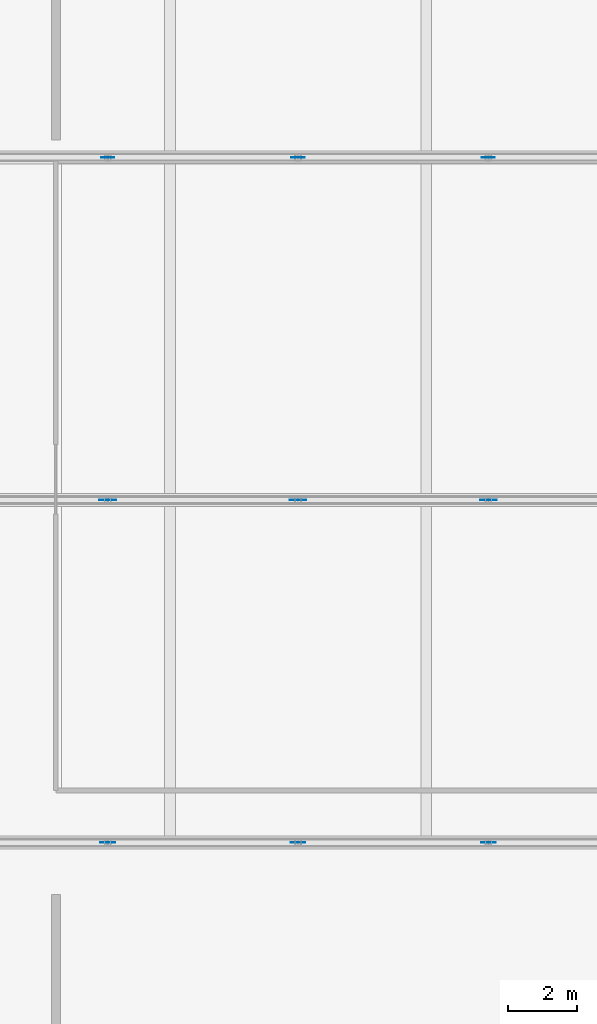
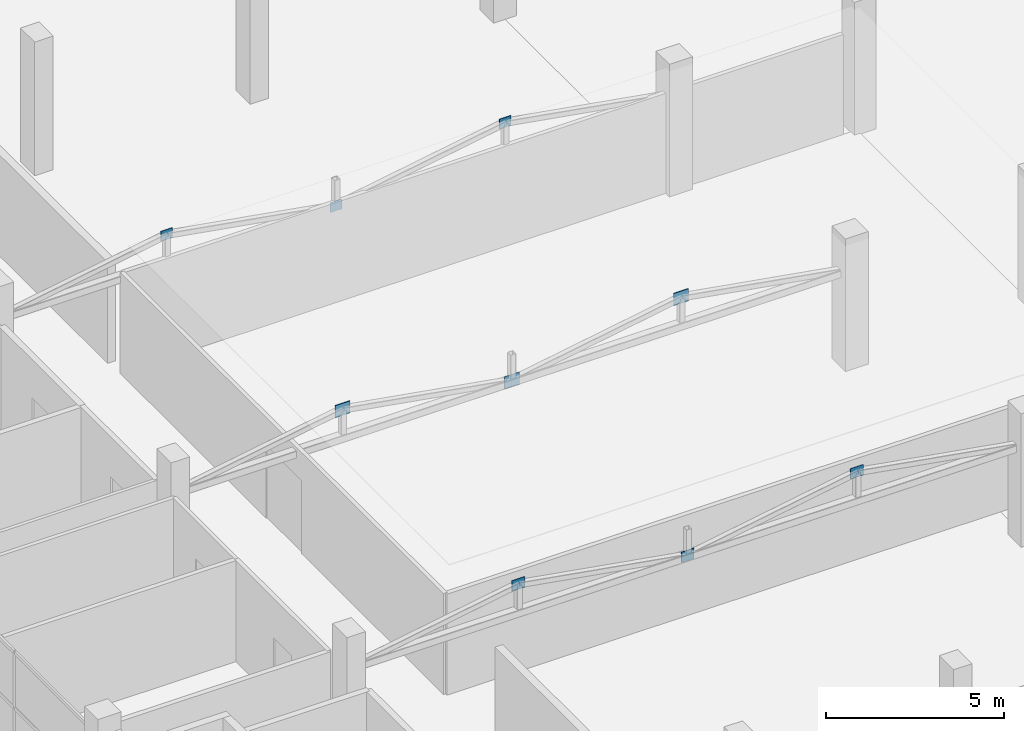
# One storey, part 40 of 58: 9 plates.
"""IFC4 building model written with IfcOpenShell, lengths in metres."""

from ifc_helpers import new_model, si_unit, direction, frame, origin, origin_2d, place, context, subcontext, project, spatial, rectangle, extrude, material, layer, layer_set, type_object, element, save


model = new_model("IFC4")

# Units and contexts
model_context = context("Model", 3, precision=1e-05, world=origin(), true_north=direction((0.0, 1.0)))
body_context = subcontext(model_context, "Body", "Model", "MODEL_VIEW")
ifc_project = project(units=[si_unit("LENGTHUNIT", "METRE"), si_unit("AREAUNIT", "SQUARE_METRE"), si_unit("VOLUMEUNIT", "CUBIC_METRE"), si_unit("PLANEANGLEUNIT", "RADIAN"), si_unit("MASSUNIT", "GRAM", prefix="KILO")], contexts=[model_context])

# Site, building, storey
site_placement = place(None, origin())
site = spatial("IfcSite", under=ifc_project, at=site_placement, CompositionType="ELEMENT")
building_placement = place(site_placement, origin())
building = spatial("IfcBuilding", under=site, at=building_placement, Name="Sillaruma Civic Art Gallery", CompositionType="ELEMENT")
storey_placement = place(building_placement, frame((0.0, 0.0, 28.56005859375)))
storey = spatial("IfcBuildingStorey", under=building, at=storey_placement, Name="L05", CompositionType="ELEMENT", Elevation=28.56005859375)

# Plates
ifc_material = material(Name="Structural Steel ASTM A992 Gr.50", Category="steel")
ifc_layer_1 = layer(ifc_material, 0.01611328125, Name="Structural Steel ASTM A992 Gr.50")
ifc_layer_set_1 = layer_set([ifc_layer_1], Name="Structural Steel ASTM A992 Gr.50")
plate_type_1 = type_object("IfcPlateType", Name="PLT-GUS-16", PredefinedType="SHEET", material=ifc_layer_set_1)
for number, where, z_axis, x_axis, name in (
    (1, (75.5, 69.300048828125, 3.998046875), (0.0, 0.0, 1.0), (1.0, 0.0, 0.0), "Truss Gusset Plate GP-05 (TR-L05-3-1)"),
    (2, (81.0, 69.300048828125, 3.0546875), (0.0, 0.0, 1.0), (1.0, 0.0, 0.0), "Truss Gusset Plate GP-05 (TR-L05-3-2)"),
    (3, (86.5, 69.300048828125, 3.998046875), (0.0, 0.0, 1.0), (1.0, 0.0, 0.0), "Truss Gusset Plate GP-05 (TR-L05-3-3)"),
):
    element("IfcPlate", number, at=place(storey_placement, frame(where, z_axis=z_axis, x_axis=x_axis)), inside=storey, type_object=plate_type_1, Name=name, PredefinedType="SHEET", context=body_context, shape_type="SweptSolid", body=[
        extrude(rectangle(XDim=0.3798828125, YDim=0.01611328125, at=origin_2d()), origin(), (0.0, 0.0, 1.0), 0.340087890625),
    ])
ifc_layer_2 = layer(ifc_material, 0.01806640625, Name="Structural Steel ASTM A992 Gr.50")
ifc_layer_set_2 = layer_set([ifc_layer_2], Name="Structural Steel ASTM A992 Gr.50")
plate_type_2 = type_object("IfcPlateType", Name="PLT-GUS-18", PredefinedType="SHEET", material=ifc_layer_set_2)
for number, where, z_axis, x_axis, name in (
    (4, (75.5, 49.5, 3.98779296875), (0.0, 0.0, 1.0), (1.0, 0.0, 0.0), "Truss Gusset Plate GP-03 (TR-L05-1-1)"),
    (5, (81.0, 49.5, 3.044921875), (0.0, 0.0, 1.0), (1.0, 0.0, 0.0), "Truss Gusset Plate GP-03 (TR-L05-1-2)"),
    (6, (86.5, 49.5, 3.98779296875), (0.0, 0.0, 1.0), (1.0, 0.0, 0.0), "Truss Gusset Plate GP-03 (TR-L05-1-3)"),
):
    element("IfcPlate", number, at=place(storey_placement, frame(where, z_axis=z_axis, x_axis=x_axis)), inside=storey, type_object=plate_type_2, Name=name, PredefinedType="SHEET", context=body_context, shape_type="SweptSolid", body=[
        extrude(rectangle(XDim=0.419921875, YDim=0.01806640625, at=origin_2d()), origin(), (0.0, 0.0, 1.0), 0.360107421875),
    ])
ifc_layer_3 = layer(ifc_material, 0.02197265625, Name="Structural Steel ASTM A992 Gr.50")
ifc_layer_set_3 = layer_set([ifc_layer_3], Name="Structural Steel ASTM A992 Gr.50")
plate_type_3 = type_object("IfcPlateType", Name="PLT-GUS-22", PredefinedType="SHEET", material=ifc_layer_set_3)
for number, where, z_axis, x_axis, name in (
    (7, (75.5, 59.39990234375, 3.9580078125), (0.0, 0.0, 1.0), (1.0, 0.0, 0.0), "Truss Gusset Plate GP-04 (TR-L05-2-1)"),
    (8, (81.0, 59.39990234375, 3.014892578125), (0.0, 0.0, 1.0), (1.0, 0.0, 0.0), "Truss Gusset Plate GP-04 (TR-L05-2-2)"),
    (9, (86.5, 59.39990234375, 3.9580078125), (0.0, 0.0, 1.0), (1.0, 0.0, 0.0), "Truss Gusset Plate GP-04 (TR-L05-2-3)"),
):
    element("IfcPlate", number, at=place(storey_placement, frame(where, z_axis=z_axis, x_axis=x_axis)), inside=storey, type_object=plate_type_3, Name=name, PredefinedType="SHEET", context=body_context, shape_type="SweptSolid", body=[
        extrude(rectangle(XDim=0.47998046875, YDim=0.02197265625, at=origin_2d()), origin(), (0.0, 0.0, 1.0), 0.419921875),
    ])

save(model, "model.ifc")
